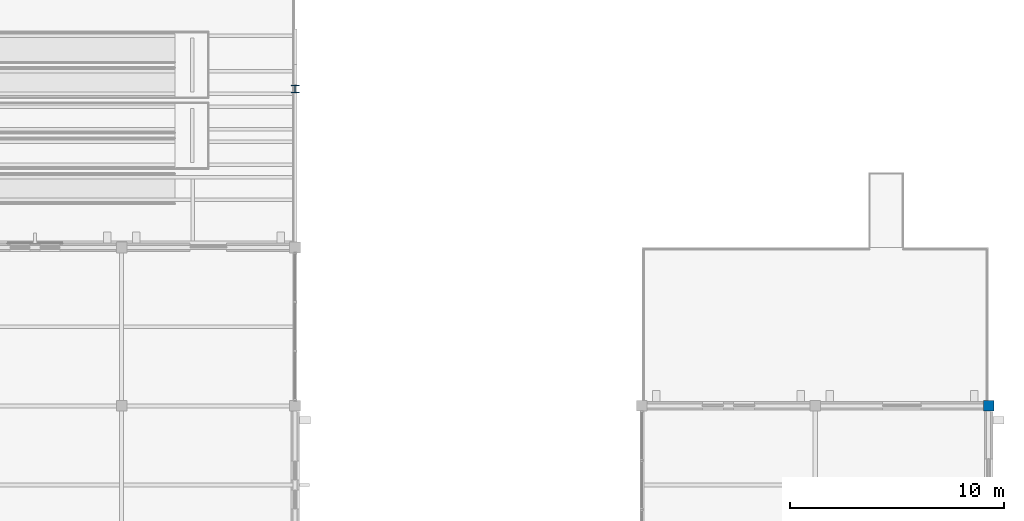
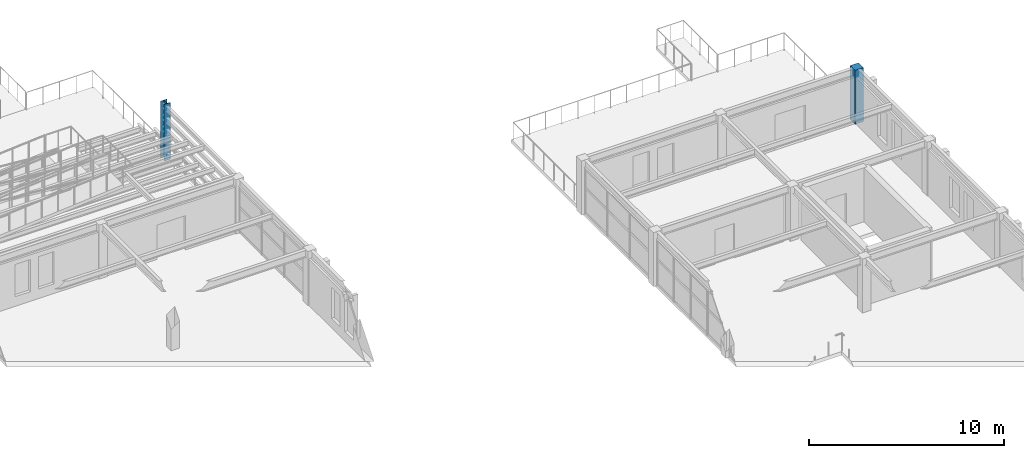
# One storey, part 4 of 93: 2 columns.
"""IFC4 building model written with IfcOpenShell, lengths in metres."""

from ifc_helpers import new_model, si_unit, direction, frame, origin, origin_2d, place, context, subcontext, project, spatial, rectangle, i_section, extrude, material, material_profile, profile_set, type_object, element, save


model = new_model("IFC4")

# Units and contexts
model_context = context("Model", 3, precision=1e-05, world=origin(), true_north=direction((0.0, 1.0)))
body_context = subcontext(model_context, "Body", "Model", "MODEL_VIEW")
ifc_project = project(units=[si_unit("LENGTHUNIT", "METRE"), si_unit("AREAUNIT", "SQUARE_METRE"), si_unit("VOLUMEUNIT", "CUBIC_METRE"), si_unit("PLANEANGLEUNIT", "RADIAN"), si_unit("MASSUNIT", "GRAM", prefix="KILO")], contexts=[model_context])

# Site, building, storey
site_placement = place(None, origin())
site = spatial("IfcSite", under=ifc_project, at=site_placement, CompositionType="ELEMENT")
building_placement = place(site_placement, origin())
building = spatial("IfcBuilding", under=site, at=building_placement, Name="Cimatlan Art Gallery", CompositionType="ELEMENT")
storey_placement = place(building_placement, frame((0.0, 0.0, 13.800048828125)))
storey = spatial("IfcBuildingStorey", under=building, at=storey_placement, Name="L03", CompositionType="ELEMENT", Elevation=13.800048828125)

# Columns
ifc_material_1 = material(Name="Concrete C45/55", Category="concrete")
ifc_material_profile_1 = material_profile(ifc_material_1, rectangle(XDim=0.5, YDim=0.5, at=origin_2d()), Name="RC500X500")
ifc_profile_set_1 = profile_set([ifc_material_profile_1], Name="Concrete C45/55")
column_type_1 = type_object("IfcColumnType", Name="COL-RC-500", PredefinedType="COLUMN", material=ifc_profile_set_1)
column_1_placement = place(storey_placement, frame((164.0, 60.89990234375, 0.0), z_axis=(0.0, 0.0, 1.0), x_axis=(1.0, 0.0, 0.0)))
element("IfcColumn", 1, at=column_1_placement, inside=storey, type_object=column_type_1, Name="COL-L03-20-08", PredefinedType="COLUMN", context=body_context, shape_type="SweptSolid", body=[
    extrude(rectangle(XDim=0.5, YDim=0.5, at=origin_2d()), origin(), (0.0, 0.0, 1.0), 3.3798828125),
])
ifc_material_2 = material(Name="Steel ASTM A992 Grade 50", Category="steel")
ifc_material_profile_2 = material_profile(ifc_material_2, i_section(OverallWidth=0.368896484375, OverallDepth=0.35595703125, WebThickness=0.01123046875, FlangeThickness=0.01806640625, at=origin_2d()), Name="W14X90")
ifc_profile_set_2 = profile_set([ifc_material_profile_2], Name="Steel ASTM A992 Grade 50")
column_type_2 = type_object("IfcColumnType", Name="COL-STL-W14X90", PredefinedType="COLUMN", material=ifc_profile_set_2)
column_2_placement = place(storey_placement, frame((131.60009765625, 75.699951171875, 0.0), z_axis=(0.0, 0.0, 1.0), x_axis=(1.0, 0.0, 0.0)))
element("IfcColumn", 2, at=column_2_placement, inside=storey, type_object=column_type_2, Name="COL-RMP-TER-U4-PRT-E", PredefinedType="COLUMN", context=body_context, shape_type="SweptSolid", body=[
    extrude(i_section(OverallWidth=0.368896484375, OverallDepth=0.35595703125, WebThickness=0.01123046875, FlangeThickness=0.01806640625, at=origin_2d()), origin(), (0.0, 0.0, 1.0), 3.550048828125),
])

save(model, "model.ifc")
